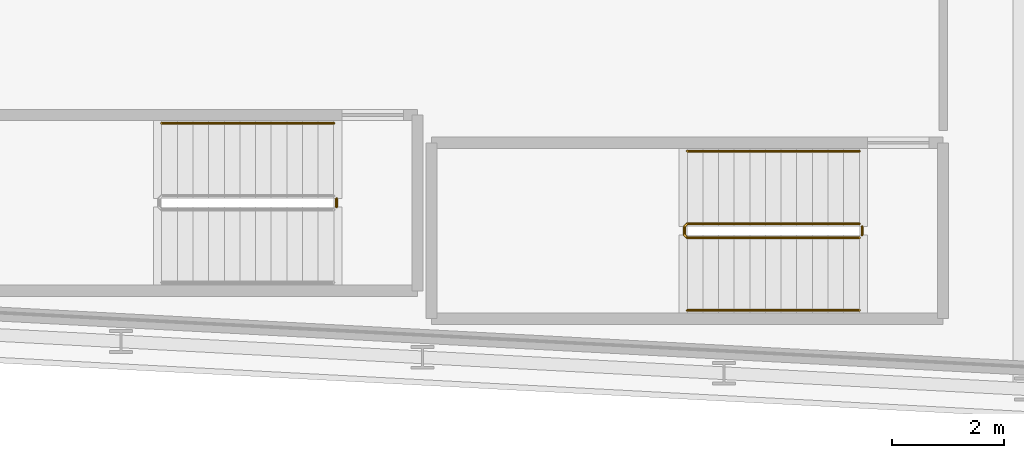
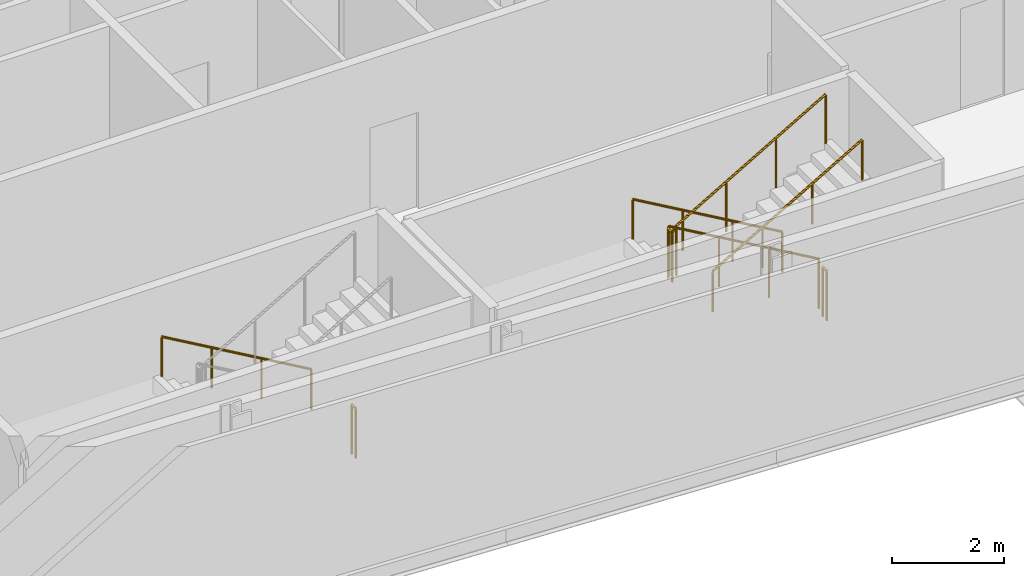
# One storey, part 25 of 28: 6 railings.
"""IFC4 building model written with IfcOpenShell, lengths in metres."""

from ifc_helpers import new_model, si_unit, direction, frame, origin, origin_2d, place, context, subcontext, project, spatial, circle, extrude, material, type_object, element, save


model = new_model("IFC4")

# Units and contexts
model_context = context("Model", 3, precision=1e-05, world=origin(), true_north=direction((0.0, 1.0)))
body_context = subcontext(model_context, "Body", "Model", "MODEL_VIEW")
ifc_project = project(units=[si_unit("LENGTHUNIT", "METRE"), si_unit("AREAUNIT", "SQUARE_METRE"), si_unit("VOLUMEUNIT", "CUBIC_METRE"), si_unit("PLANEANGLEUNIT", "RADIAN"), si_unit("MASSUNIT", "GRAM", prefix="KILO")], contexts=[model_context])

# Site, building, storey
site_placement = place(None, origin())
site = spatial("IfcSite", under=ifc_project, at=site_placement, CompositionType="ELEMENT")
building_placement = place(site_placement, origin())
building = spatial("IfcBuilding", under=site, at=building_placement, Name="Kheshtan School and Residences Tower", CompositionType="ELEMENT")
storey_placement = place(building_placement, frame((0.0, 0.0, 191.60009765625)))
storey = spatial("IfcBuildingStorey", under=building, at=storey_placement, Name="L45", CompositionType="ELEMENT", Elevation=191.60009765625)

# Railings
ifc_material_1 = material(Name="Stainless steel balustrade", Category="steel")
railing_type_1 = type_object("IfcRailingType", Name="Stair guard 1100", PredefinedType="GUARDRAIL", material=ifc_material_1)
railing_1_placement = place(storey_placement, frame((87.820068359375, 23.949951171875, 0.162353515625)))
element("IfcRailing", 1, at=railing_1_placement, inside=storey, type_object=railing_type_1, Name="L45 ST4 stair guard 1", PredefinedType="GUARDRAIL", context=body_context, shape_type="SweptSolid", body=[
    extrude(circle(Radius=0.02392578125, at=origin_2d()), frame((0.0, 0.0, 1.076171875), z_axis=(-0.864890721111, 0.0, 0.501960198159), x_axis=(0.0, -1.0, 0.0)), (0.0, 0.0, 1.0), 3.561279296875),
    extrude(circle(Radius=0.02392578125, at=origin_2d()), frame((-3.080078125, 0.0, 2.86376953125), z_axis=(-0.707106781187, -0.707106781187, 0.0), x_axis=(0.707106781187, -0.707106781187, 0.0)), (0.0, 0.0, 1.0), 0.07080078125),
    extrude(circle(Radius=0.02392578125, at=origin_2d()), frame((-3.130126953125, -0.050048828125, 2.86376953125), z_axis=(0.0, -1.0, 0.0), x_axis=(1.0, 0.0, 0.0)), (0.0, 0.0, 1.0), 0.14990234375),
    extrude(circle(Radius=0.02392578125, at=origin_2d()), frame((-3.130126953125, -0.199951171875, 2.86376953125), z_axis=(0.282583949758, -0.282583949758, 0.916674763849), x_axis=(0.707106781187, 0.707106781187, 0.0)), (0.0, 0.0, 1.0), 0.177001953125),
    extrude(circle(Radius=0.02392578125, at=origin_2d()), frame((-3.080078125, -0.25, 3.02587890625), z_axis=(0.864890721111, 0.0, 0.501960198159), x_axis=(0.0, 1.0, 0.0)), (0.0, 0.0, 1.0), 3.561279296875),
    extrude(circle(Radius=0.02099609375, at=origin_2d()), origin(), (0.0, 0.0, 1.0), 1.052001953125),
    extrude(circle(Radius=0.02099609375, at=origin_2d()), frame((-1.026611328125, 0.0, 0.595947265625)), (0.0, 0.0, 1.0), 1.052001953125),
    extrude(circle(Radius=0.02099609375, at=origin_2d()), frame((-2.053466796875, 0.0, 1.191650390625)), (0.0, 0.0, 1.0), 1.052001953125),
    extrude(circle(Radius=0.02099609375, at=origin_2d()), frame((-3.080078125, 0.0, 1.78759765625)), (0.0, 0.0, 1.0), 1.052001953125),
    extrude(circle(Radius=0.02099609375, at=origin_2d()), frame((-3.130126953125, -0.050048828125, 1.78759765625)), (0.0, 0.0, 1.0), 1.052001953125),
    extrude(circle(Radius=0.02099609375, at=origin_2d()), frame((-3.130126953125, -0.199951171875, 1.78759765625)), (0.0, 0.0, 1.0), 1.052001953125),
    extrude(circle(Radius=0.02099609375, at=origin_2d()), frame((-3.080078125, -0.25, 1.949951171875)), (0.0, 0.0, 1.0), 1.052001953125),
    extrude(circle(Radius=0.02099609375, at=origin_2d()), frame((-2.053466796875, -0.25, 2.5458984375)), (0.0, 0.0, 1.0), 1.052001953125),
    extrude(circle(Radius=0.02099609375, at=origin_2d()), frame((-1.026611328125, -0.25, 3.1416015625)), (0.0, 0.0, 1.0), 1.052001953125),
    extrude(circle(Radius=0.02099609375, at=origin_2d()), frame((0.0, -0.25, 3.737548828125)), (0.0, 0.0, 1.0), 1.052001953125),
])
for number, where, name in (
    (2, (87.8701171875, 23.89990234375, 0.0), "L45 ST4 stair guard 2"),
    (3, (78.4599609375, 24.39990234375, 0.0), "L45 ST5 stair guard 2"),
):
    element("IfcRailing", number, at=place(storey_placement, frame(where)), inside=storey, type_object=railing_type_1, Name=name, PredefinedType="GUARDRAIL", context=body_context, shape_type="SweptSolid", body=[
        extrude(circle(Radius=0.02392578125, at=origin_2d()), frame((0.0, 0.0, 1.076171875), z_axis=(0.0, -1.0, 0.0), x_axis=(1.0, 0.0, 0.0)), (0.0, 0.0, 1.0), 0.14990234375),
        extrude(circle(Radius=0.02099609375, at=origin_2d()), origin(), (0.0, 0.0, 1.0), 1.052001953125),
        extrude(circle(Radius=0.02099609375, at=origin_2d()), frame((0.0, -0.14990234375, 0.0)), (0.0, 0.0, 1.0), 1.052001953125),
    ])
ifc_material_2 = material(Name="Stainless steel handrail", Category="steel")
railing_type_2 = type_object("IfcRailingType", Name="Stair handrail 900", PredefinedType="HANDRAIL", material=ifc_material_2)
railing_2_placement = place(storey_placement, frame((87.820068359375, 25.25, 0.162353515625)))
element("IfcRailing", 4, at=railing_2_placement, inside=storey, type_object=railing_type_2, Name="L45 ST4 stair handrail 1", PredefinedType="HANDRAIL", context=body_context, shape_type="SweptSolid", body=[
    extrude(circle(Radius=0.02392578125, at=origin_2d()), frame((0.0, 0.0, 0.8759765625), z_axis=(-0.864890721111, 0.0, 0.501960198159), x_axis=(0.0, -1.0, 0.0)), (0.0, 0.0, 1.0), 3.561279296875),
    extrude(circle(Radius=0.02099609375, at=origin_2d()), origin(), (0.0, 0.0, 1.0), 0.851806640625),
    extrude(circle(Radius=0.02099609375, at=origin_2d()), frame((-1.026611328125, 0.0, 0.595947265625)), (0.0, 0.0, 1.0), 0.851806640625),
    extrude(circle(Radius=0.02099609375, at=origin_2d()), frame((-2.053466796875, 0.0, 1.191650390625)), (0.0, 0.0, 1.0), 0.851806640625),
    extrude(circle(Radius=0.02099609375, at=origin_2d()), frame((-3.080078125, 0.0, 1.78759765625)), (0.0, 0.0, 1.0), 0.851806640625),
])
railing_3_placement = place(storey_placement, frame((84.739990234375, 22.39990234375, 2.1123046875)))
element("IfcRailing", 5, at=railing_3_placement, inside=storey, type_object=railing_type_2, Name="L45 ST4 stair handrail 2", PredefinedType="HANDRAIL", context=body_context, shape_type="SweptSolid", body=[
    extrude(circle(Radius=0.02392578125, at=origin_2d()), frame((0.0, 0.0, 0.8759765625), z_axis=(0.864890721111, 0.0, 0.501960198159), x_axis=(0.0, 1.0, 0.0)), (0.0, 0.0, 1.0), 3.561279296875),
    extrude(circle(Radius=0.02099609375, at=origin_2d()), origin(), (0.0, 0.0, 1.0), 0.851806640625),
    extrude(circle(Radius=0.02099609375, at=origin_2d()), frame((1.026611328125, 0.0, 0.595947265625)), (0.0, 0.0, 1.0), 0.851806640625),
    extrude(circle(Radius=0.02099609375, at=origin_2d()), frame((2.053466796875, 0.0, 1.191650390625)), (0.0, 0.0, 1.0), 0.851806640625),
    extrude(circle(Radius=0.02099609375, at=origin_2d()), frame((3.080078125, 0.0, 1.78759765625)), (0.0, 0.0, 1.0), 0.851806640625),
])
railing_4_placement = place(storey_placement, frame((78.409912109375, 25.75, 0.162353515625)))
element("IfcRailing", 6, at=railing_4_placement, inside=storey, type_object=railing_type_2, Name="L45 ST5 stair handrail 1", PredefinedType="HANDRAIL", context=body_context, shape_type="SweptSolid", body=[
    extrude(circle(Radius=0.02392578125, at=origin_2d()), frame((0.0, 0.0, 0.8759765625), z_axis=(-0.864873446163, 0.0, 0.501989962173), x_axis=(0.0, -1.0, 0.0)), (0.0, 0.0, 1.0), 3.56103515625),
    extrude(circle(Radius=0.02099609375, at=origin_2d()), origin(), (0.0, 0.0, 1.0), 0.851806640625),
    extrude(circle(Radius=0.02099609375, at=origin_2d()), frame((-1.026611328125, 0.0, 0.595947265625)), (0.0, 0.0, 1.0), 0.851806640625),
    extrude(circle(Radius=0.02099609375, at=origin_2d()), frame((-2.05322265625, 0.0, 1.191650390625)), (0.0, 0.0, 1.0), 0.851806640625),
    extrude(circle(Radius=0.02099609375, at=origin_2d()), frame((-3.079833984375, 0.0, 1.78759765625)), (0.0, 0.0, 1.0), 0.851806640625),
])

save(model, "model.ifc")
